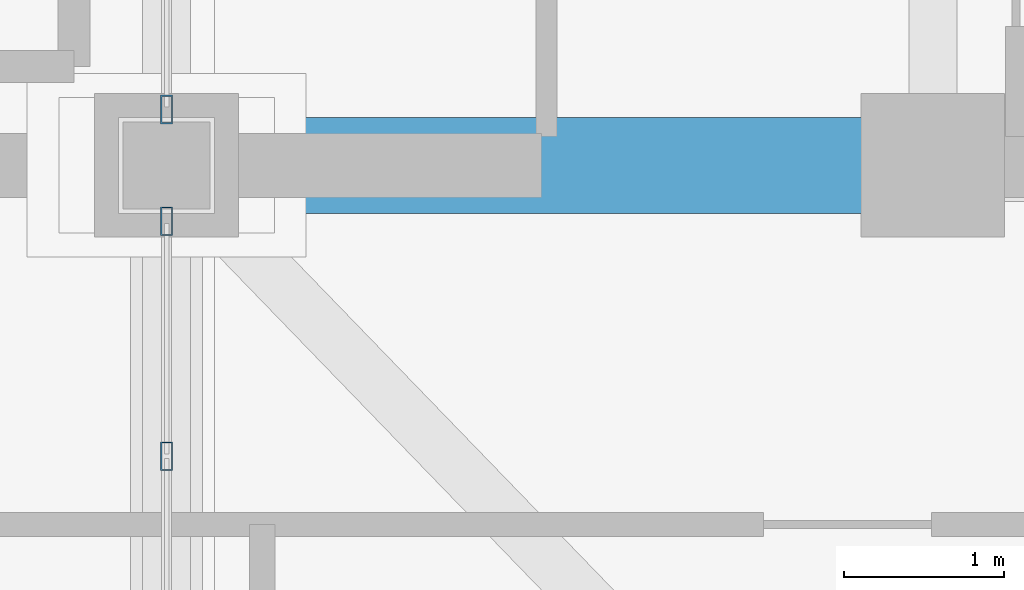
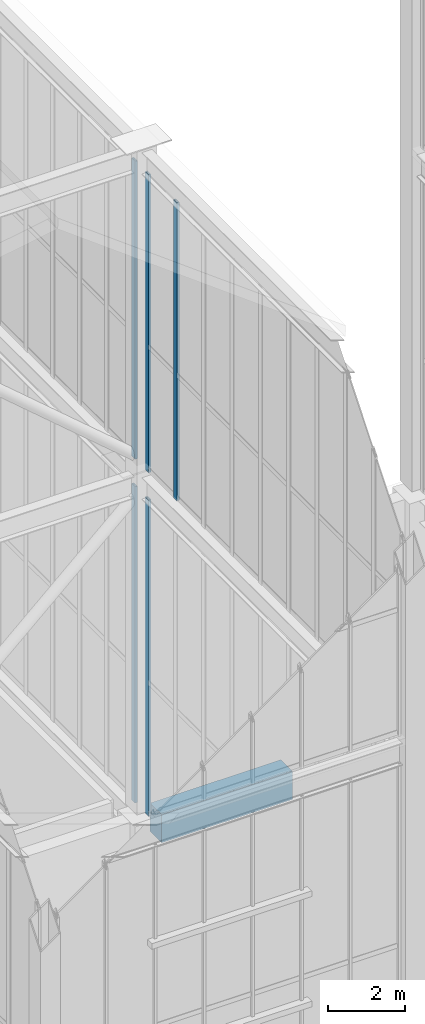
# One storey, part 17 of 135: 5 members, 1 beam, 4 elements without a shape of their own.
"""IFC4 building model written with IfcOpenShell, lengths in metres."""

from ifc_helpers import new_model, si_unit, direction, frame, origin, origin_2d, place, context, subcontext, project, spatial, rectangle, hollow_rectangle, extrude, source, transform, mapped, material, layer, layer_set, material_profile, profile_set, type_object, element, aggregate, save


model = new_model("IFC4")

# Units and contexts
model_context = context("Model", 3, precision=1e-05, world=origin(), true_north=direction((0.0, 1.0)))
body_context = subcontext(model_context, "Body", "Model", "MODEL_VIEW")
ifc_project = project(units=[si_unit("LENGTHUNIT", "METRE"), si_unit("AREAUNIT", "SQUARE_METRE"), si_unit("VOLUMEUNIT", "CUBIC_METRE"), si_unit("PLANEANGLEUNIT", "RADIAN"), si_unit("MASSUNIT", "GRAM", prefix="KILO")], contexts=[model_context])

# Site, building, storey
site_placement = place(None, origin())
site = spatial("IfcSite", under=ifc_project, at=site_placement, CompositionType="ELEMENT")
building_placement = place(site_placement, origin())
building = spatial("IfcBuilding", under=site, at=building_placement, Name="Giltprow Tower", CompositionType="ELEMENT")
storey_placement = place(building_placement, frame((0.0, 0.0, 352.699951171875)))
storey = spatial("IfcBuildingStorey", under=building, at=storey_placement, Name="L92", CompositionType="ELEMENT", Elevation=352.699951171875)

# Beam
ifc_material_1 = material(Name="Concrete C50", Category="concrete")
ifc_material_profile_1 = material_profile(ifc_material_1, rectangle(XDim=0.60009765625, YDim=0.89990234375, at=origin_2d()), Name="RC 900x600")
ifc_profile_set_1 = profile_set([ifc_material_profile_1], Name="Concrete C50")
beam_type = type_object("IfcBeamType", Name="BM-CPL-RC900", PredefinedType="LINTEL", material=ifc_profile_set_1)
shared_shape_1 = source(origin(), body_context, "Body", "SweptSolid", [
    extrude(rectangle(XDim=0.60009765625, YDim=0.89990234375, at=origin_2d()), origin(), (0.0, 0.0, 1.0), 3.929931640625),
])
beam_placement = place(storey_placement, frame((31.235107421875, 37.449951171875, 5.7099609375), z_axis=(1.0, 0.0, 0.0), x_axis=(0.0, 1.0, 0.0)))
element("IfcBeam", 1, at=beam_placement, inside=storey, type_object=beam_type, Name="L92 Core Coupling Beam CB-1", PredefinedType="LINTEL", context=body_context, shape_type="MappedRepresentation", body=[
    mapped(shared_shape_1, transform((0.0, 0.0, 0.0), x_axis=(1.0, 0.0, 0.0), y_axis=(0.0, 1.0, 0.0), z_axis=(0.0, 0.0, 1.0), scale=1.0)),
])

# Curtain wall, member
ifc_material_2 = material(Name="Anodized bronze", Category="metal")
ifc_layer = layer(ifc_material_2, 0.179931640625, Name="Anodized bronze")
ifc_layer_set = layer_set([ifc_layer], Name="Anodized bronze")
curtain_wall_type = type_object("IfcCurtainWallType", Name="CW-CROWN-LANTERN", PredefinedType="NOTDEFINED", material=ifc_layer_set)
curtain_wall_1_placement = place(storey_placement, origin())
curtain_wall_1 = element("IfcCurtainWall", 2, at=curtain_wall_1_placement, inside=storey, type_object=curtain_wall_type, Name="Crown West Lower Lantern Glazing 2", PredefinedType="NOTDEFINED")
ifc_material_profile_2 = material_profile(ifc_material_2, hollow_rectangle(XDim=0.074951171875, YDim=0.179931640625, WallThickness=0.008056640625, at=origin_2d()), Name="RHS 180x75x8")
ifc_profile_set_2 = profile_set([ifc_material_profile_2], Name="Anodized bronze")
member_type = type_object("IfcMemberType", Name="CW-MULLION-180x75", PredefinedType="MULLION", material=ifc_profile_set_2)
shared_shape_2 = source(origin(), body_context, "Body", "SweptSolid", [
    extrude(hollow_rectangle(XDim=0.074951171875, YDim=0.179931640625, WallThickness=0.008056640625, at=origin_2d()), origin(), (0.0, 0.0, 1.0), 10.030029296875),
])
member_1_placement = place(storey_placement, frame((30.800048828125, 37.10009765625, 6.35009765625), z_axis=(0.0, 0.0, 1.0), x_axis=(1.0, 0.0, 0.0)))
member_1 = element("IfcMember", 3, at=member_1_placement, type_object=member_type, Name="Crown West Lower Lantern Glazing 2 Mullion 10", PredefinedType="MULLION", context=body_context, shape_type="MappedRepresentation", body=[
    mapped(shared_shape_2, transform((0.0, 0.0, 0.0), x_axis=(1.0, 0.0, 0.0), y_axis=(0.0, 1.0, 0.0), z_axis=(0.0, 0.0, 1.0), scale=1.0)),
])
aggregate(curtain_wall_1, [member_1])

curtain_wall_2_placement = place(storey_placement, origin())
curtain_wall_2 = element("IfcCurtainWall", 4, at=curtain_wall_2_placement, inside=storey, type_object=curtain_wall_type, Name="Crown West Lower Lantern Glazing 3", PredefinedType="NOTDEFINED")
member_2_placement = place(storey_placement, frame((30.800048828125, 37.800048828125, 6.35009765625), z_axis=(0.0, 0.0, 1.0), x_axis=(1.0, 0.0, 0.0)))
member_2 = element("IfcMember", 5, at=member_2_placement, type_object=member_type, Name="Crown West Lower Lantern Glazing 3 Mullion 1", PredefinedType="MULLION", context=body_context, shape_type="MappedRepresentation", body=[
    mapped(shared_shape_2, transform((0.0, 0.0, 0.0), x_axis=(1.0, 0.0, 0.0), y_axis=(0.0, 1.0, 0.0), z_axis=(0.0, 0.0, 1.0), scale=1.0)),
])
aggregate(curtain_wall_2, [member_2])

# Curtain wall, members
curtain_wall_3_placement = place(storey_placement, origin())
curtain_wall_3 = element("IfcCurtainWall", 6, at=curtain_wall_3_placement, inside=storey, type_object=curtain_wall_type, Name="Crown West Upper Lantern Glazing 2", PredefinedType="NOTDEFINED")
shared_shape_3 = source(origin(), body_context, "Body", "SweptSolid", [
    extrude(hollow_rectangle(XDim=0.074951171875, YDim=0.179931640625, WallThickness=0.008056640625, at=origin_2d()), origin(), (0.0, 0.0, 1.0), 9.45703125),
])
member_3_placement = place(storey_placement, frame((30.800048828125, 35.6279296875, 17.25), z_axis=(0.0, 0.0, 1.0), x_axis=(1.0, 0.0, 0.0)))
member_3 = element("IfcMember", 7, at=member_3_placement, type_object=member_type, Name="Crown West Upper Lantern Glazing 2 Mullion 9", PredefinedType="MULLION", context=body_context, shape_type="MappedRepresentation", body=[
    mapped(shared_shape_3, transform((0.0, 0.0, 0.0), x_axis=(1.0, 0.0, 0.0), y_axis=(0.0, 1.0, 0.0), z_axis=(0.0, 0.0, 1.0), scale=1.0)),
])
member_4_placement = place(storey_placement, frame((30.800048828125, 37.10009765625, 17.25), z_axis=(0.0, 0.0, 1.0), x_axis=(1.0, 0.0, 0.0)))
member_4 = element("IfcMember", 8, at=member_4_placement, type_object=member_type, Name="Crown West Upper Lantern Glazing 2 Mullion 10", PredefinedType="MULLION", context=body_context, shape_type="MappedRepresentation", body=[
    mapped(shared_shape_3, transform((0.0, 0.0, 0.0), x_axis=(1.0, 0.0, 0.0), y_axis=(0.0, 1.0, 0.0), z_axis=(0.0, 0.0, 1.0), scale=1.0)),
])
aggregate(curtain_wall_3, [member_3, member_4])

# Curtain wall, member
curtain_wall_4_placement = place(storey_placement, origin())
curtain_wall_4 = element("IfcCurtainWall", 9, at=curtain_wall_4_placement, inside=storey, type_object=curtain_wall_type, Name="Crown West Upper Lantern Glazing 3", PredefinedType="NOTDEFINED")
member_5_placement = place(storey_placement, frame((30.800048828125, 37.800048828125, 17.25), z_axis=(0.0, 0.0, 1.0), x_axis=(1.0, 0.0, 0.0)))
member_5 = element("IfcMember", 10, at=member_5_placement, type_object=member_type, Name="Crown West Upper Lantern Glazing 3 Mullion 1", PredefinedType="MULLION", context=body_context, shape_type="MappedRepresentation", body=[
    mapped(shared_shape_3, transform((0.0, 0.0, 0.0), x_axis=(1.0, 0.0, 0.0), y_axis=(0.0, 1.0, 0.0), z_axis=(0.0, 0.0, 1.0), scale=1.0)),
])
aggregate(curtain_wall_4, [member_5])

save(model, "model.ifc")
